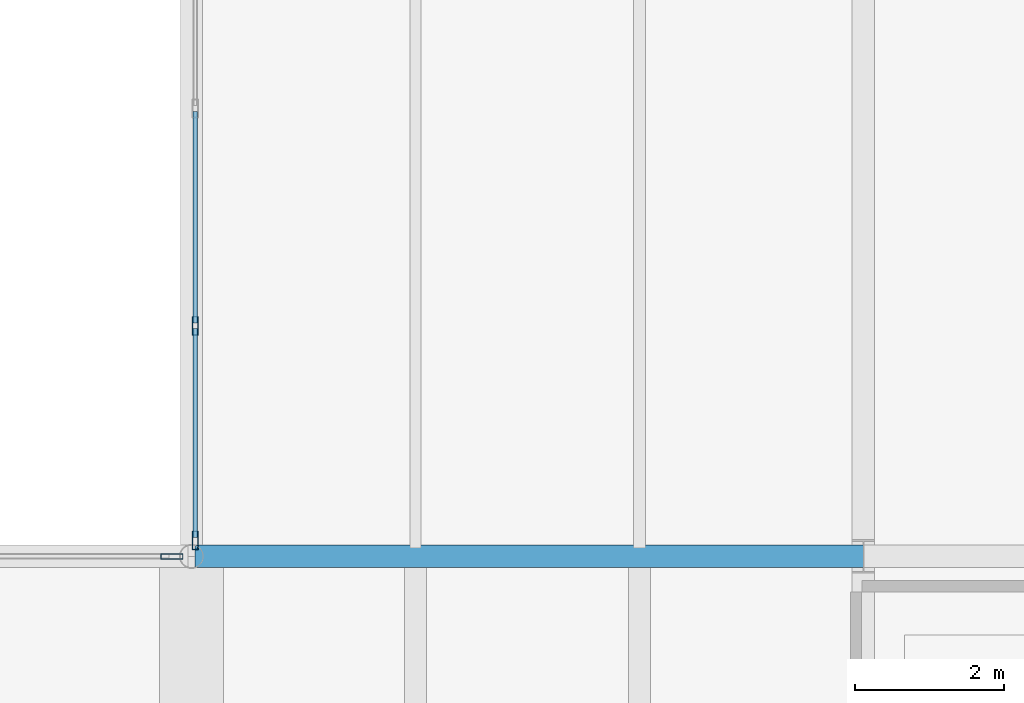
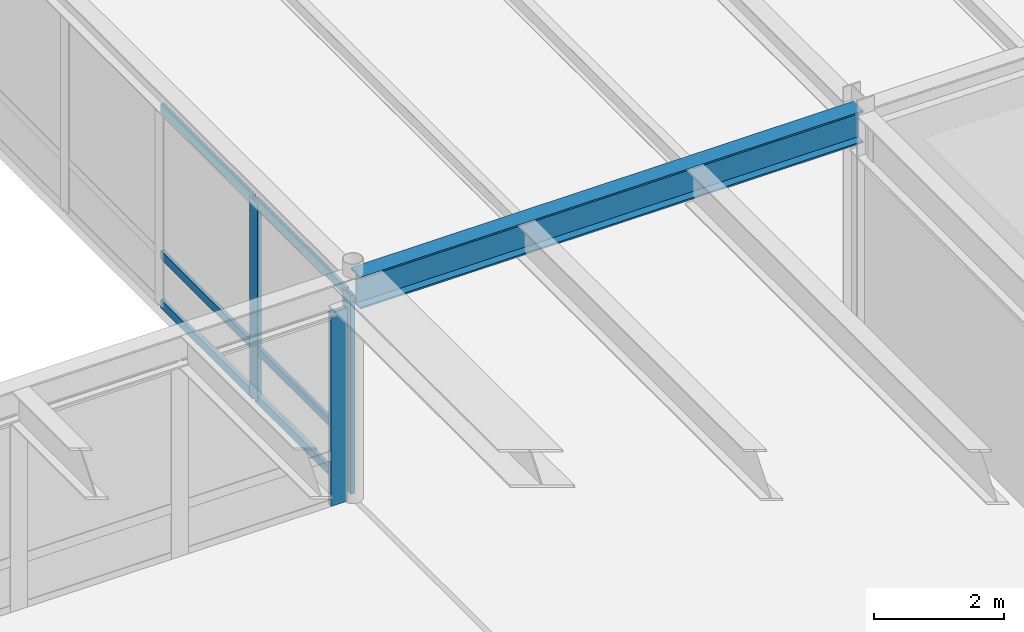
# One storey, part 40 of 127: 9 members, 1 beam, 2 elements without a shape of their own.
"""IFC4 building model written with IfcOpenShell, lengths in metres."""

from ifc_helpers import new_model, si_unit, direction, frame, origin, origin_2d, place, context, subcontext, project, spatial, hollow_rectangle, i_section, extrude, material, layer, layer_set, material_profile, profile_set, type_object, element, aggregate, save


model = new_model("IFC4")

# Units and contexts
model_context = context("Model", 3, precision=1e-05, world=origin(), true_north=direction((0.0, 1.0)))
body_context = subcontext(model_context, "Body", "Model", "MODEL_VIEW")
ifc_project = project(units=[si_unit("LENGTHUNIT", "METRE"), si_unit("AREAUNIT", "SQUARE_METRE"), si_unit("VOLUMEUNIT", "CUBIC_METRE"), si_unit("PLANEANGLEUNIT", "RADIAN"), si_unit("MASSUNIT", "GRAM", prefix="KILO")], contexts=[model_context])

# Site, building, storey
site_placement = place(None, origin())
site = spatial("IfcSite", under=ifc_project, at=site_placement, CompositionType="ELEMENT")
building_placement = place(site_placement, origin())
building = spatial("IfcBuilding", under=site, at=building_placement, Name="Montelvaro Courts of Justice", CompositionType="ELEMENT")
storey_placement = place(building_placement, frame((0.0, 0.0, 5.39990234375)))
storey = spatial("IfcBuildingStorey", under=building, at=storey_placement, Name="L01", CompositionType="ELEMENT", Elevation=5.39990234375)

# Beam
ifc_material_1 = material(Name="Steel S355", Category="steel")
ifc_material_profile_1 = material_profile(ifc_material_1, i_section(OverallWidth=0.300048828125, OverallDepth=0.60009765625, WebThickness=0.015380859375, FlangeThickness=0.030029296875, at=origin_2d()), Name="HEB 600")
ifc_profile_set_1 = profile_set([ifc_material_profile_1], Name="Steel S355")
beam_type = type_object("IfcBeamType", Name="Beam_HEB600", PredefinedType="USERDEFINED", material=ifc_profile_set_1)
beam_placement = place(storey_placement, frame((99.050048828125, 42.0, 3.920166015625), z_axis=(1.0, 0.0, 0.0), x_axis=(0.0, 1.0, 0.0)))
element("IfcBeam", 1, at=beam_placement, inside=storey, type_object=beam_type, Name="Beam B-26 L01", ObjectType="GIRDER", PredefinedType="USERDEFINED", context=body_context, shape_type="SweptSolid", body=[
    extrude(i_section(OverallWidth=0.300048828125, OverallDepth=0.60009765625, WebThickness=0.015380859375, FlangeThickness=0.030029296875, at=origin_2d()), origin(), (0.0, 0.0, 1.0), 8.949951171875),
])

# Curtain wall, members
ifc_material_2 = material(Name="Anodised aluminium EN AW-6063", Category="aluminium")
ifc_layer_1 = layer(ifc_material_2, 0.159912109375)
ifc_layer_set_1 = layer_set([ifc_layer_1], Name="Anodised aluminium EN AW-6063")
curtain_wall_type_1 = type_object("IfcCurtainWallType", Name="CurtainWall_16_1165x418", PredefinedType="USERDEFINED", material=ifc_layer_set_1)
curtain_wall_1_placement = place(storey_placement, origin())
curtain_wall_1 = element("IfcCurtainWall", 2, at=curtain_wall_1_placement, inside=storey, type_object=curtain_wall_type_1, Name="Curtain Wall CW-16 (L01)", ObjectType="CURTAIN WALL", PredefinedType="USERDEFINED")
ifc_material_profile_2 = material_profile(ifc_material_2, hollow_rectangle(XDim=0.074951171875, YDim=0.25, WallThickness=0.005615234375, at=origin_2d()), Name="ALU-M 75x250")
ifc_profile_set_2 = profile_set([ifc_material_profile_2], Name="Anodised aluminium EN AW-6063")
member_type_1 = type_object("IfcMemberType", Name="CurtainWall_Mullion_75x250", PredefinedType="MULLION", material=ifc_profile_set_2)
member_1_placement = place(storey_placement, frame((99.050048828125, 45.08837890625, 0.0), z_axis=(0.0, 0.0, 1.0), x_axis=(1.0, 0.0, 0.0)))
member_1 = element("IfcMember", 3, at=member_1_placement, type_object=member_type_1, Name="CW-16 mullion 4", PredefinedType="MULLION", context=body_context, shape_type="SweptSolid", body=[
    extrude(hollow_rectangle(XDim=0.074951171875, YDim=0.25, WallThickness=0.005615234375, at=origin_2d()), origin(), (0.0, 0.0, 1.0), 3.735107421875),
])
member_2_placement = place(storey_placement, frame((99.050048828125, 42.21435546875, 0.0), z_axis=(0.0, 0.0, 1.0), x_axis=(1.0, 0.0, 0.0)))
member_2 = element("IfcMember", 4, at=member_2_placement, type_object=member_type_1, Name="CW-16 mullion 5", PredefinedType="MULLION", context=body_context, shape_type="SweptSolid", body=[
    extrude(hollow_rectangle(XDim=0.074951171875, YDim=0.25, WallThickness=0.005615234375, at=origin_2d()), origin(), (0.0, 0.0, 1.0), 3.735107421875),
])

# Curtain wall, member
ifc_layer_2 = layer(ifc_material_2, 0.159912109375)
ifc_layer_set_2 = layer_set([ifc_layer_2], Name="Anodised aluminium EN AW-6063")
curtain_wall_type_2 = type_object("IfcCurtainWallType", Name="CurtainWall_17_861x418", PredefinedType="USERDEFINED", material=ifc_layer_set_2)
curtain_wall_2_placement = place(storey_placement, origin())
curtain_wall_2 = element("IfcCurtainWall", 5, at=curtain_wall_2_placement, inside=storey, type_object=curtain_wall_type_2, Name="Curtain Wall CW-17 (L01)", ObjectType="CURTAIN WALL", PredefinedType="USERDEFINED")
ifc_material_profile_3 = material_profile(ifc_material_2, hollow_rectangle(XDim=0.074951171875, YDim=0.300048828125, WallThickness=0.006103515625, at=origin_2d()), Name="ALU-M 75x300")
ifc_profile_set_3 = profile_set([ifc_material_profile_3], Name="Anodised aluminium EN AW-6063")
member_type_2 = type_object("IfcMemberType", Name="CurtainWall_Mullion_75x300", PredefinedType="MULLION", material=ifc_profile_set_3)
member_3_placement = place(storey_placement, frame((98.735595703125, 42.0, 0.0), z_axis=(0.0, 0.0, 1.0), x_axis=(0.0, -1.0, 0.0)))
member_3 = element("IfcMember", 6, at=member_3_placement, type_object=member_type_2, Name="CW-17 mullion 1", PredefinedType="MULLION", context=body_context, shape_type="SweptSolid", body=[
    extrude(hollow_rectangle(XDim=0.074951171875, YDim=0.300048828125, WallThickness=0.006103515625, at=origin_2d()), origin(), (0.0, 0.0, 1.0), 3.635009765625),
])
aggregate(curtain_wall_2, [member_3])

# Member
ifc_material_profile_4 = material_profile(ifc_material_2, hollow_rectangle(XDim=0.06005859375, YDim=0.159912109375, WallThickness=0.00439453125, at=origin_2d()), Name="ALU-T 60x160")
ifc_profile_set_4 = profile_set([ifc_material_profile_4], Name="Anodised aluminium EN AW-6063")
member_type_3 = type_object("IfcMemberType", Name="CurtainWall_Transom_60x160", PredefinedType="USERDEFINED", material=ifc_profile_set_4)
member_4_placement = place(storey_placement, frame((99.050048828125, 47.96240234375, 0.030029296875), z_axis=(0.0, -1.0, 0.0), x_axis=(1.0, 0.0, 0.0)))
member_4 = element("IfcMember", 7, at=member_4_placement, type_object=member_type_3, Name="CW-16 transom 3.1", ObjectType="TRANSOM", PredefinedType="USERDEFINED", context=body_context, shape_type="SweptSolid", body=[
    extrude(hollow_rectangle(XDim=0.06005859375, YDim=0.159912109375, WallThickness=0.00439453125, at=origin_2d()), origin(), (0.0, 0.0, 1.0), 2.83642578125),
])

member_5_placement = place(storey_placement, frame((99.050048828125, 47.96240234375, 0.9501953125), z_axis=(0.0, -1.0, 0.0), x_axis=(1.0, 0.0, 0.0)))
member_5 = element("IfcMember", 8, at=member_5_placement, type_object=member_type_3, Name="CW-16 transom 3.2", ObjectType="TRANSOM", PredefinedType="USERDEFINED", context=body_context, shape_type="SweptSolid", body=[
    extrude(hollow_rectangle(XDim=0.06005859375, YDim=0.159912109375, WallThickness=0.00439453125, at=origin_2d()), origin(), (0.0, 0.0, 1.0), 2.83642578125),
])

member_6_placement = place(storey_placement, frame((99.050048828125, 47.96240234375, 3.705078125), z_axis=(0.0, -1.0, 0.0), x_axis=(1.0, 0.0, 0.0)))
member_6 = element("IfcMember", 9, at=member_6_placement, type_object=member_type_3, Name="CW-16 transom 3.3", ObjectType="TRANSOM", PredefinedType="USERDEFINED", context=body_context, shape_type="SweptSolid", body=[
    extrude(hollow_rectangle(XDim=0.06005859375, YDim=0.159912109375, WallThickness=0.00439453125, at=origin_2d()), origin(), (0.0, 0.0, 1.0), 2.83642578125),
])

member_7_placement = place(storey_placement, frame((99.050048828125, 45.051025390625, 0.030029296875), z_axis=(0.0, -1.0, 0.0), x_axis=(1.0, 0.0, 0.0)))
member_7 = element("IfcMember", 10, at=member_7_placement, type_object=member_type_3, Name="CW-16 transom 4.1", ObjectType="TRANSOM", PredefinedType="USERDEFINED", context=body_context, shape_type="SweptSolid", body=[
    extrude(hollow_rectangle(XDim=0.06005859375, YDim=0.159912109375, WallThickness=0.00439453125, at=origin_2d()), origin(), (0.0, 0.0, 1.0), 2.799072265625),
])

member_8_placement = place(storey_placement, frame((99.050048828125, 45.051025390625, 0.9501953125), z_axis=(0.0, -1.0, 0.0), x_axis=(1.0, 0.0, 0.0)))
member_8 = element("IfcMember", 11, at=member_8_placement, type_object=member_type_3, Name="CW-16 transom 4.2", ObjectType="TRANSOM", PredefinedType="USERDEFINED", context=body_context, shape_type="SweptSolid", body=[
    extrude(hollow_rectangle(XDim=0.06005859375, YDim=0.159912109375, WallThickness=0.00439453125, at=origin_2d()), origin(), (0.0, 0.0, 1.0), 2.799072265625),
])

member_9_placement = place(storey_placement, frame((99.050048828125, 45.051025390625, 3.705078125), z_axis=(0.0, -1.0, 0.0), x_axis=(1.0, 0.0, 0.0)))
member_9 = element("IfcMember", 12, at=member_9_placement, type_object=member_type_3, Name="CW-16 transom 4.3", ObjectType="TRANSOM", PredefinedType="USERDEFINED", context=body_context, shape_type="SweptSolid", body=[
    extrude(hollow_rectangle(XDim=0.06005859375, YDim=0.159912109375, WallThickness=0.00439453125, at=origin_2d()), origin(), (0.0, 0.0, 1.0), 2.799072265625),
])

aggregate(curtain_wall_1, [member_1, member_2, member_4, member_5, member_6, member_7, member_8, member_9])

save(model, "model.ifc")
